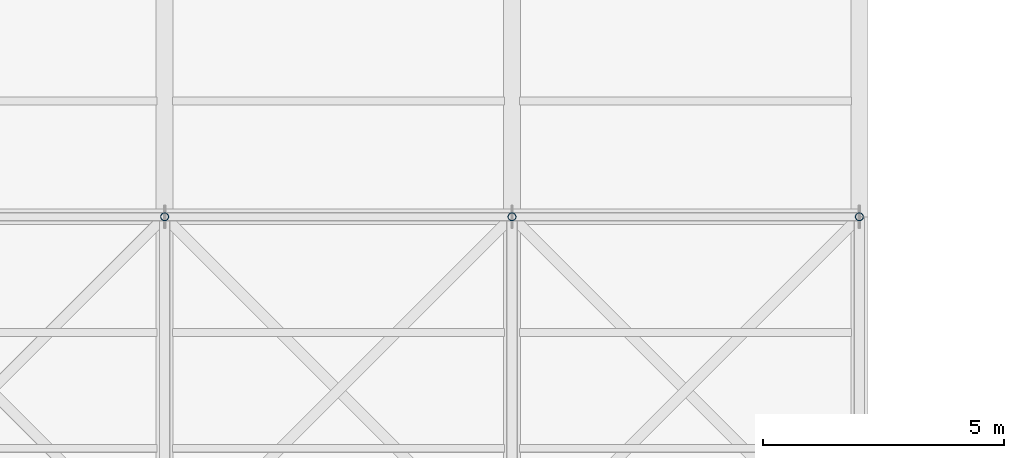
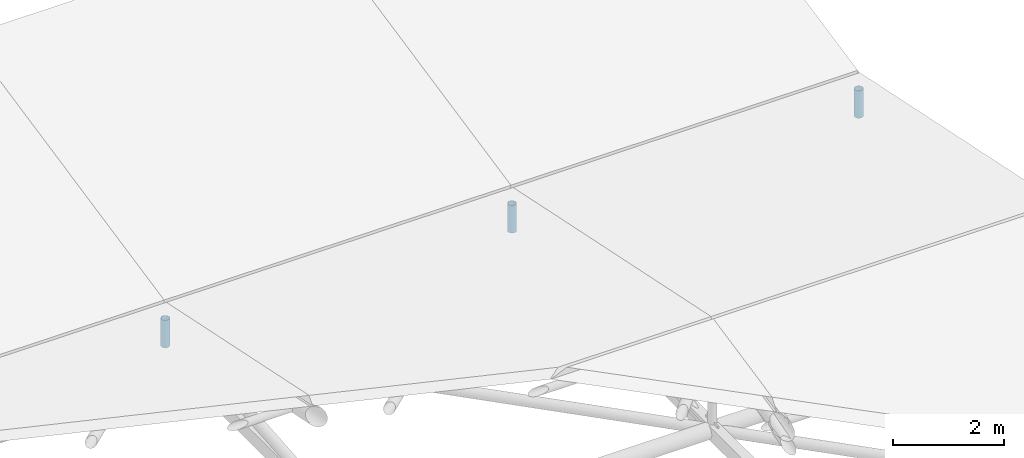
# One storey, part 54 of 72: 3 members.
"""IFC4 building model written with IfcOpenShell, lengths in metres."""

from ifc_helpers import new_model, si_unit, direction, frame, origin, origin_2d, place, context, subcontext, project, spatial, hollow_circle, extrude, material, material_profile, profile_set, type_object, element, save


model = new_model("IFC4")

# Units and contexts
model_context = context("Model", 3, precision=1e-05, world=origin(), true_north=direction((0.0, 1.0)))
body_context = subcontext(model_context, "Body", "Model", "MODEL_VIEW")
ifc_project = project(units=[si_unit("LENGTHUNIT", "METRE"), si_unit("AREAUNIT", "SQUARE_METRE"), si_unit("VOLUMEUNIT", "CUBIC_METRE"), si_unit("PLANEANGLEUNIT", "RADIAN"), si_unit("MASSUNIT", "GRAM", prefix="KILO")], contexts=[model_context])

# Site, building, storey
site_placement = place(None, origin())
site = spatial("IfcSite", under=ifc_project, at=site_placement, CompositionType="ELEMENT")
building_placement = place(site_placement, origin())
building = spatial("IfcBuilding", under=site, at=building_placement, Name="Vaelcorin Mobility Hub", CompositionType="ELEMENT")
storey_placement = place(building_placement, frame((0.0, 0.0, 25.800048828125)))
storey = spatial("IfcBuildingStorey", under=building, at=storey_placement, Name="RF", CompositionType="ELEMENT", Elevation=25.800048828125)

# Members
ifc_material = material(Name="Steel ASTM A500 Grade C", Category="steel")
ifc_material_profile = material_profile(ifc_material, hollow_circle(Radius=0.084228515625, WallThickness=0.0078125, at=origin_2d()), Name="HSS6.625X0.312")
ifc_profile_set = profile_set([ifc_material_profile], Name="Steel ASTM A500 Grade C")
member_type = type_object("IfcMemberType", Name="TR-POST-6", PredefinedType="POST", material=ifc_profile_set)
for number, where, z_axis, x_axis, name in (
    (1, (100.800048828125, 112.800048828125, -2.10009765625), (0.0, 0.0, 1.0), (1.0, 0.0, 0.0), "Sports Pavilion Roof Truss Post 9-4"),
    (2, (108.0, 112.800048828125, -2.10009765625), (0.0, 0.0, 1.0), (1.0, 0.0, 0.0), "Sports Pavilion Roof Truss Post 10-4"),
    (3, (115.199951171875, 112.800048828125, -2.10009765625), (0.0, 0.0, 1.0), (1.0, 0.0, 0.0), "Sports Pavilion Roof Truss Post 11-4"),
):
    element("IfcMember", number, at=place(storey_placement, frame(where, z_axis=z_axis, x_axis=x_axis)), inside=storey, type_object=member_type, Name=name, PredefinedType="POST", context=body_context, shape_type="SweptSolid", body=[
        extrude(hollow_circle(Radius=0.084228515625, WallThickness=0.0078125, at=origin_2d()), origin(), (0.0, 0.0, 1.0), 0.60009765625),
    ])

save(model, "model.ifc")
